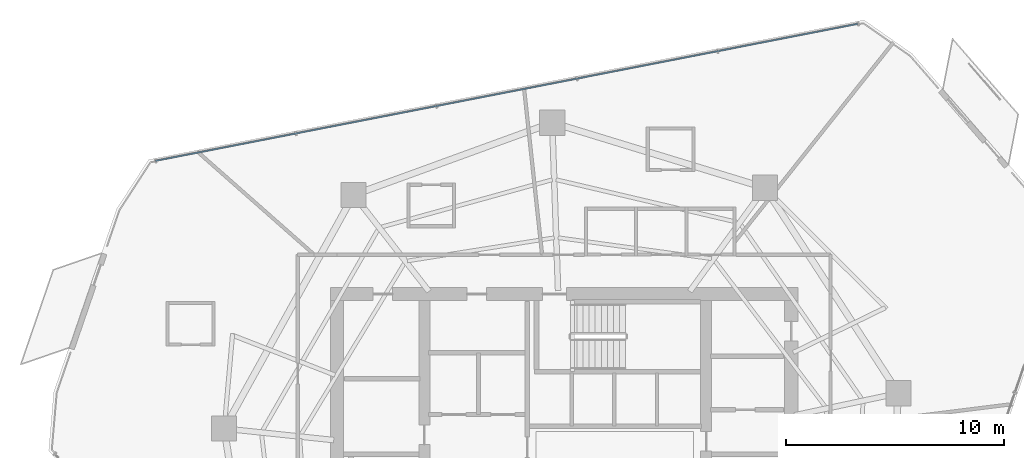
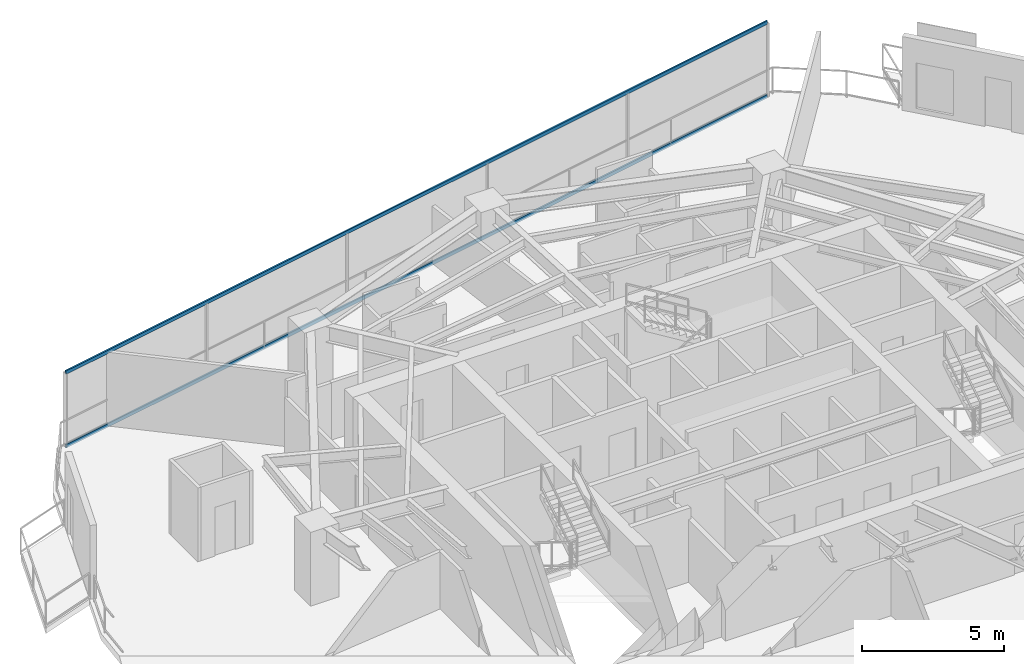
# One storey, part 18 of 27: 2 members, 1 element without a shape of its own.
"""IFC4 building model written with IfcOpenShell, lengths in metres."""

from ifc_helpers import new_model, si_unit, direction, frame, origin, origin_2d, place, context, subcontext, project, spatial, hollow_rectangle, extrude, material, layer, layer_set, material_profile, profile_set, type_object, element, aggregate, save


model = new_model("IFC4")

# Units and contexts
model_context = context("Model", 3, precision=1e-05, world=origin(), true_north=direction((0.0, 1.0)))
body_context = subcontext(model_context, "Body", "Model", "MODEL_VIEW")
ifc_project = project(units=[si_unit("LENGTHUNIT", "METRE"), si_unit("AREAUNIT", "SQUARE_METRE"), si_unit("VOLUMEUNIT", "CUBIC_METRE"), si_unit("PLANEANGLEUNIT", "RADIAN"), si_unit("MASSUNIT", "GRAM", prefix="KILO")], contexts=[model_context])

# Site, building, storey
site_placement = place(None, origin())
site = spatial("IfcSite", under=ifc_project, at=site_placement, CompositionType="ELEMENT")
building_placement = place(site_placement, origin())
building = spatial("IfcBuilding", under=site, at=building_placement, Name="Qarnah Convention Tower", CompositionType="ELEMENT")
storey_placement = place(building_placement, frame((0.0, 0.0, 107.39990234375)))
storey = spatial("IfcBuildingStorey", under=building, at=storey_placement, Name="L28", CompositionType="ELEMENT", Elevation=107.39990234375)

# Curtain wall, members
ifc_material_1 = material(Name="Tempered Low-E dark glass", Category="glass")
ifc_layer = layer(ifc_material_1, 0.169921875)
ifc_layer_set = layer_set([ifc_layer], Name="Tempered Low-E dark glass")
curtain_wall_type = type_object("IfcCurtainWallType", Name="CWS-02", PredefinedType="NOTDEFINED", material=ifc_layer_set)
curtain_wall_placement = place(storey_placement, origin())
curtain_wall = element("IfcCurtainWall", 1, at=curtain_wall_placement, inside=storey, type_object=curtain_wall_type, Name="L28 unitised curtain wall CW-L28-F1", PredefinedType="NOTDEFINED")
ifc_material_2 = material(Name="Black anodised aluminium", Category="aluminium")
ifc_material_profile = material_profile(ifc_material_2, hollow_rectangle(XDim=0.06494140625, YDim=0.14990234375, WallThickness=0.00390625, at=origin_2d()), Name="TRN-65X150")
ifc_profile_set = profile_set([ifc_material_profile], Name="Black anodised aluminium")
member_type = type_object("IfcMemberType", Name="TRN-T2", PredefinedType="USERDEFINED", material=ifc_profile_set)
member_1_placement = place(storey_placement, frame((18.492919921875, 40.2919921875, 0.0), z_axis=(0.981493767898, 0.191494082357, 0.0), x_axis=(-0.191494082357, 0.981493767898, 0.0)))
member_1 = element("IfcMember", 2, at=member_1_placement, type_object=member_type, Name="CW-L28-F1 transom 1", ObjectType="TRANSOM", PredefinedType="USERDEFINED", context=body_context, shape_type="SweptSolid", body=[
    extrude(hollow_rectangle(XDim=0.06494140625, YDim=0.14990234375, WallThickness=0.00390625, at=origin_2d()), origin(), (0.0, 0.0, 1.0), 32.7744140625),
])
member_2_placement = place(storey_placement, frame((18.492919921875, 40.2919921875, 3.170166015625), z_axis=(0.981493767898, 0.191494082357, 0.0), x_axis=(-0.191494082357, 0.981493767898, 0.0)))
member_2 = element("IfcMember", 3, at=member_2_placement, type_object=member_type, Name="CW-L28-F1 transom 2", ObjectType="TRANSOM", PredefinedType="USERDEFINED", context=body_context, shape_type="SweptSolid", body=[
    extrude(hollow_rectangle(XDim=0.06494140625, YDim=0.14990234375, WallThickness=0.00390625, at=origin_2d()), origin(), (0.0, 0.0, 1.0), 32.7744140625),
])
aggregate(curtain_wall, [member_1, member_2])

save(model, "model.ifc")
